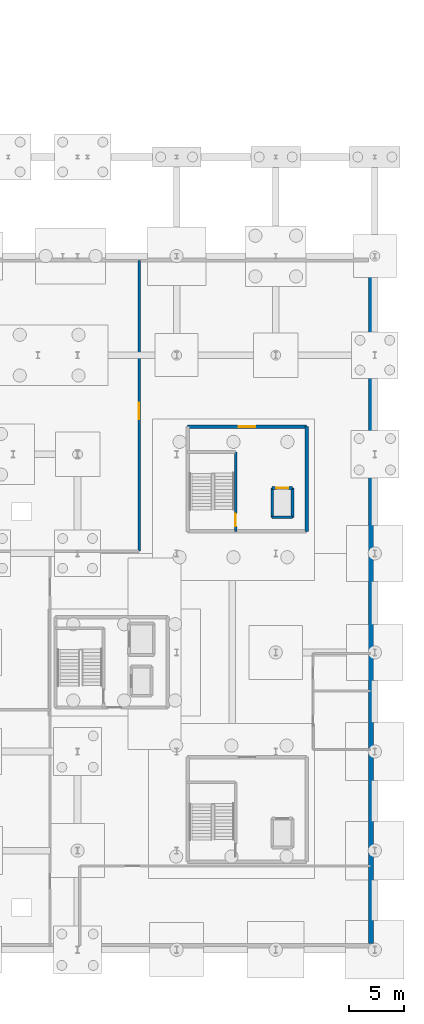
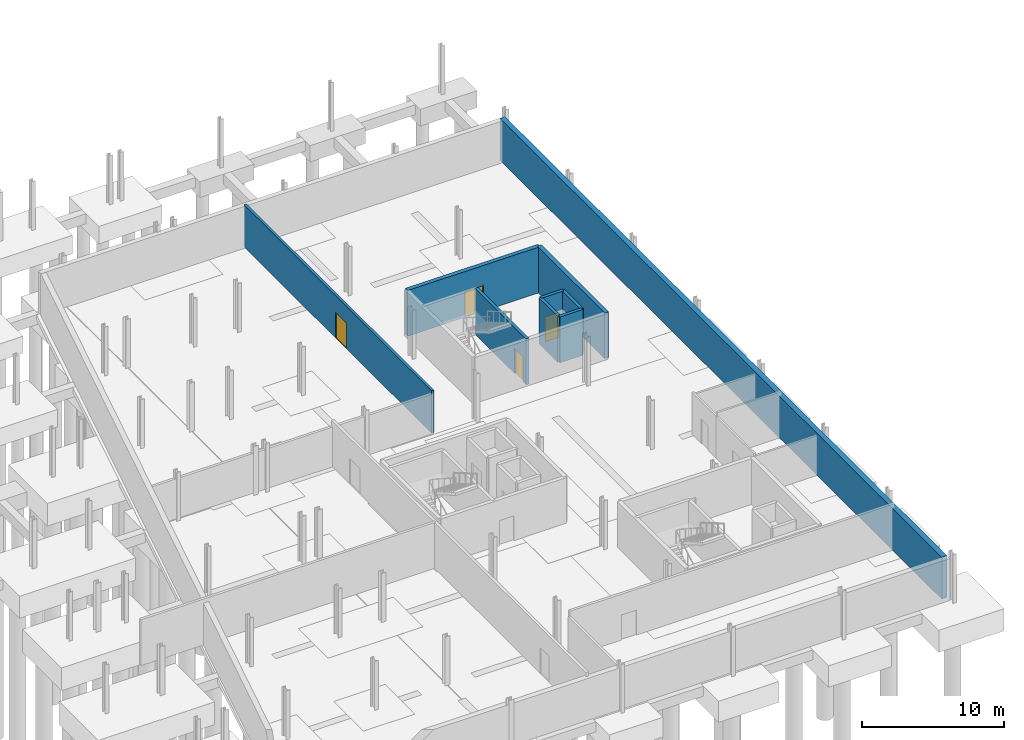
# One storey, part 38 of 42: 9 walls, 4 doors, 4 openings.
"""IFC4 building model written with IfcOpenShell, lengths in metres."""

from ifc_helpers import new_model, si_unit, direction, frame, frame_2d, origin, place, context, subcontext, project, spatial, rectangle, extrude, material, layer, layer_set, type_object, element, fill, save


model = new_model("IFC4")

# Units and contexts
model_context = context("Model", 3, precision=1e-05, world=origin(), true_north=direction((0.0, 1.0)))
body_context = subcontext(model_context, "Body", "Model", "MODEL_VIEW")
ifc_project = project(units=[si_unit("LENGTHUNIT", "METRE"), si_unit("AREAUNIT", "SQUARE_METRE"), si_unit("VOLUMEUNIT", "CUBIC_METRE"), si_unit("PLANEANGLEUNIT", "RADIAN"), si_unit("MASSUNIT", "GRAM", prefix="KILO")], contexts=[model_context])

# Site, building, storey
site_placement = place(None, origin())
site = spatial("IfcSite", under=ifc_project, at=site_placement, CompositionType="ELEMENT")
building_placement = place(site_placement, origin())
building = spatial("IfcBuilding", under=site, at=building_placement, Name="Deido Ridge Mobility Hub", CompositionType="ELEMENT")
storey_placement = place(building_placement, frame((0.0, 0.0, -4.199951171875)))
storey = spatial("IfcBuildingStorey", under=building, at=storey_placement, Name="B1", CompositionType="ELEMENT", Elevation=-4.199951171875)

# Wall, opening, door
ifc_material_1 = material(Name="Concrete blockwork masonry", Category="masonry")
ifc_layer_1 = layer(ifc_material_1, 0.199951171875, Name="Concrete blockwork masonry")
ifc_layer_set_1 = layer_set([ifc_layer_1], Name="Concrete blockwork masonry")
wall_type_1 = type_object("IfcWallType", Name="WL-PRT-FIR-200", PredefinedType="PARTITIONING", material=ifc_layer_set_1)
wall_1_placement = place(storey_placement, frame((158.60009765625, 36.199951171875, 0.0), z_axis=(0.0, 0.0, 1.0), x_axis=(0.0, 1.0, 0.0)))
wall_1 = element("IfcWall", 1, at=wall_1_placement, inside=storey, type_object=wall_type_1, Name="Monsoon retention plant east wall", PredefinedType="PARTITIONING", context=body_context, shape_type="SweptSolid", body=[
    extrude(rectangle(XDim=26.400146484375, YDim=0.199951171875, at=frame_2d((13.2001953125, 0.0))), origin(), (0.0, 0.0, 1.0), 3.64501953125),
])
opening_1_placement = place(wall_1_placement, frame((12.0, 0.0, 0.0)))
opening_1 = element("IfcOpeningElement", 2, at=opening_1_placement, cuts=wall_1, Name="Opening DR-B1-139", PredefinedType="OPENING", context=body_context, shape_type="SweptSolid", body=[
    extrude(rectangle(XDim=1.5, YDim=2.199951171875, at=frame_2d((0.75, 1.10009765625))), frame((0.0, 0.10986328125, 0.0), z_axis=(0.0, -1.0, 0.0), x_axis=(1.0, 0.0, 0.0)), (0.0, 0.0, 1.0), 0.219970703125),
])
ifc_material_2 = material(Name="Galvanised steel work", Category="steel")
door_type_1 = type_object("IfcDoorType", Name="DR-FD60-1500X2200", OperationType="DOUBLE_DOOR_SINGLE_SWING", PredefinedType="DOOR", material=ifc_material_2)
door_1_placement = place(opening_1_placement, origin())
door_1 = element("IfcDoor", 3, at=door_1_placement, inside=storey, type_object=door_type_1, Name="DR-I0139 Monsoon retention plant fire door", OperationType="DOUBLE_DOOR_SINGLE_SWING", OverallHeight=2.199951171875, OverallWidth=1.5, PredefinedType="DOOR", context=body_context, shape_type="SweptSolid", body=[
    extrude(rectangle(XDim=1.5, YDim=2.199951171875, at=frame_2d((0.75, 1.10009765625))), frame((0.0, 0.02490234375, 0.0), z_axis=(0.0, -1.0, 0.0), x_axis=(1.0, 0.0, 0.0)), (0.0, 0.0, 1.0), 0.050048828125),
])
fill(opening_1, door_1)

# Wall
ifc_material_3 = material(Name="Concrete C40/50", Category="concrete")
ifc_layer_2 = layer(ifc_material_3, 0.419921875, Name="Concrete C40/50")
ifc_layer_set_2 = layer_set([ifc_layer_2], Name="Concrete C40/50")
wall_type_2 = type_object("IfcWallType", Name="WL-RET-RC-420", PredefinedType="USERDEFINED", material=ifc_layer_set_2)
wall_2_placement = place(storey_placement, frame((179.64990234375, 0.56005859375, 0.0), z_axis=(0.0, 0.0, 1.0), x_axis=(0.0, 1.0, 0.0)))
element("IfcWall", 4, at=wall_2_placement, inside=storey, type_object=wall_type_2, Name="Basement perimeter retaining wall", ObjectType="RETAINING WALL", PredefinedType="USERDEFINED", context=body_context, shape_type="SweptSolid", body=[
    extrude(rectangle(XDim=62.280029296875, YDim=0.419921875, at=frame_2d((31.14013671875, 0.0))), origin(), (0.0, 0.0, 1.0), 3.599853515625),
])

# Wall, opening, door
ifc_layer_3 = layer(ifc_material_3, 0.25, Name="Concrete C40/50")
ifc_layer_set_3 = layer_set([ifc_layer_3], Name="Concrete C40/50")
wall_type_3 = type_object("IfcWallType", Name="WL-SHR-RC-250", PredefinedType="SHEAR", material=ifc_layer_set_3)
wall_3_placement = place(storey_placement, frame((167.360107421875, 38.0, 0.0), z_axis=(0.0, 0.0, 1.0), x_axis=(0.0, 1.0, 0.0)))
wall_3 = element("IfcWall", 5, at=wall_3_placement, inside=storey, type_object=wall_type_3, Name="C2 stair shaft east wall", PredefinedType="SHEAR", context=body_context, shape_type="SweptSolid", body=[
    extrude(rectangle(XDim=7.199951171875, YDim=0.25, at=frame_2d((3.60009765625, 0.0))), origin(), (0.0, 0.0, 1.0), 3.93994140625),
])
opening_2_placement = place(wall_3_placement, frame((0.449951171875, 0.0, 0.0)))
opening_2 = element("IfcOpeningElement", 6, at=opening_2_placement, cuts=wall_3, Name="Opening FD-C2-B1", PredefinedType="OPENING", context=body_context, shape_type="SweptSolid", body=[
    extrude(rectangle(XDim=1.14990234375, YDim=2.14990234375, at=frame_2d((0.574951171875, 1.074951171875))), frame((0.0, 0.135009765625, 0.0), z_axis=(0.0, -1.0, 0.0), x_axis=(1.0, 0.0, 0.0)), (0.0, 0.0, 1.0), 0.27001953125),
])
door_type_2 = type_object("IfcDoorType", Name="DR-FD60-1150X2150", OperationType="NOTDEFINED", PredefinedType="DOOR", material=ifc_material_2)
door_2_placement = place(opening_2_placement, origin())
door_2 = element("IfcDoor", 7, at=door_2_placement, inside=storey, type_object=door_type_2, Name="DR-I0025 C2 protected stair door (B1)", OperationType="SINGLE_SWING_LEFT", OverallHeight=2.14990234375, OverallWidth=1.14990234375, PredefinedType="DOOR", context=body_context, shape_type="SweptSolid", body=[
    extrude(rectangle(XDim=1.14990234375, YDim=2.14990234375, at=frame_2d((0.574951171875, 1.074951171875))), frame((0.0, 0.02490234375, 0.0), z_axis=(0.0, -1.0, 0.0), x_axis=(1.0, 0.0, 0.0)), (0.0, 0.0, 1.0), 0.050048828125),
])
fill(opening_2, door_2)

# Walls
wall_4_placement = place(storey_placement, frame((170.675048828125, 39.27490234375, 0.0), z_axis=(0.0, 0.0, 1.0), x_axis=(1.0, 0.0, 0.0)))
element("IfcWall", 8, at=wall_4_placement, inside=storey, type_object=wall_type_3, Name="Lift FL2 rear shaft wall", PredefinedType="SHEAR", context=body_context, shape_type="SweptSolid", body=[
    extrude(rectangle(XDim=1.849853515625, YDim=0.25, at=frame_2d((0.9248046875, 0.0))), origin(), (0.0, 0.0, 1.0), 3.93994140625),
])
for number, where, z_axis, x_axis, name in (
    (9, (170.675048828125, 39.27490234375, 0.0), (0.0, 0.0, 1.0), (0.0, 1.0, 0.0), "Lift FL2 west shaft wall"),
    (10, (172.52490234375, 39.27490234375, 0.0), (0.0, 0.0, 1.0), (0.0, 1.0, 0.0), "Lift FL2 east shaft wall"),
):
    element("IfcWall", number, at=place(storey_placement, frame(where, z_axis=z_axis, x_axis=x_axis)), inside=storey, type_object=wall_type_3, Name=name, PredefinedType="SHEAR", context=body_context, shape_type="SweptSolid", body=[
        extrude(rectangle(XDim=2.650146484375, YDim=0.25, at=frame_2d((1.3251953125, 0.0))), origin(), (0.0, 0.0, 1.0), 3.93994140625),
    ])

# Wall, opening, door
wall_5_placement = place(storey_placement, frame((170.675048828125, 41.925048828125, 0.0), z_axis=(0.0, 0.0, 1.0), x_axis=(1.0, 0.0, 0.0)))
wall_5 = element("IfcWall", 11, at=wall_5_placement, inside=storey, type_object=wall_type_3, Name="Lift FL2 landing wall", PredefinedType="SHEAR", context=body_context, shape_type="SweptSolid", body=[
    extrude(rectangle(XDim=1.849853515625, YDim=0.25, at=frame_2d((0.9248046875, 0.0))), origin(), (0.0, 0.0, 1.0), 3.93994140625),
])
opening_3_placement = place(wall_5_placement, frame((0.375, 0.0, 0.0)))
opening_3 = element("IfcOpeningElement", 12, at=opening_3_placement, cuts=wall_5, Name="Opening LD-FL2", PredefinedType="OPENING", context=body_context, shape_type="SweptSolid", body=[
    extrude(rectangle(XDim=1.10009765625, YDim=2.14990234375, at=frame_2d((0.550048828125, 1.074951171875))), frame((0.0, 0.135009765625, 0.0), z_axis=(0.0, -1.0, 0.0), x_axis=(1.0, 0.0, 0.0)), (0.0, 0.0, 1.0), 0.27001953125),
])
ifc_material_4 = material(Name="Stainless steel 316", Category="steel")
door_type_3 = type_object("IfcDoorType", Name="DR-LND-PAS-1100X2150", OperationType="DOUBLE_DOOR_SLIDING", PredefinedType="USERDEFINED", material=ifc_material_4)
door_3_placement = place(opening_3_placement, origin())
door_3 = element("IfcDoor", 13, at=door_3_placement, inside=storey, type_object=door_type_3, Name="DR-I0027 Lift FL2 sliding landing door (B1)", ObjectType="LANDING DOOR", OperationType="DOUBLE_DOOR_SLIDING", OverallHeight=2.14990234375, OverallWidth=1.10009765625, PredefinedType="USERDEFINED", context=body_context, shape_type="SweptSolid", body=[
    extrude(rectangle(XDim=1.10009765625, YDim=2.14990234375, at=frame_2d((0.550048828125, 1.074951171875))), frame((0.0, 0.02490234375, 0.0), z_axis=(0.0, -1.0, 0.0), x_axis=(1.0, 0.0, 0.0)), (0.0, 0.0, 1.0), 0.050048828125),
])
fill(opening_3, door_3)

# Wall
ifc_layer_4 = layer(ifc_material_3, 0.324951171875, Name="Concrete C40/50")
ifc_layer_set_4 = layer_set([ifc_layer_4], Name="Concrete C40/50")
wall_type_4 = type_object("IfcWallType", Name="WL-SHR-RC-325", PredefinedType="SHEAR", material=ifc_layer_set_4)
wall_6_placement = place(storey_placement, frame((173.800048828125, 38.0, 0.0), z_axis=(0.0, 0.0, 1.0), x_axis=(0.0, 1.0, 0.0)))
element("IfcWall", 14, at=wall_6_placement, inside=storey, type_object=wall_type_4, Name="C2 east shear wall", PredefinedType="SHEAR", context=body_context, shape_type="SweptSolid", body=[
    extrude(rectangle(XDim=9.5, YDim=0.324951171875, at=frame_2d((4.75, 0.0))), origin(), (0.0, 0.0, 1.0), 3.93994140625),
])

# Wall, opening, door
wall_7_placement = place(storey_placement, frame((173.800048828125, 47.5, 0.0), z_axis=(0.0, 0.0, 1.0), x_axis=(-1.0, 0.0, 0.0)))
wall_7 = element("IfcWall", 15, at=wall_7_placement, inside=storey, type_object=wall_type_4, Name="C2 north shear wall", PredefinedType="SHEAR", context=body_context, shape_type="SweptSolid", body=[
    extrude(rectangle(XDim=10.800048828125, YDim=0.324951171875, at=frame_2d((5.39990234375, 0.0))), origin(), (0.0, 0.0, 1.0), 3.93994140625),
])
opening_4_placement = place(wall_7_placement, frame((4.64990234375, 0.0, 0.0)))
opening_4 = element("IfcOpeningElement", 16, at=opening_4_placement, cuts=wall_7, Name="Opening LD-C2-026", PredefinedType="OPENING", context=body_context, shape_type="SweptSolid", body=[
    extrude(rectangle(XDim=1.5, YDim=2.199951171875, at=frame_2d((0.75, 1.10009765625))), frame((0.0, 0.17236328125, 0.0), z_axis=(0.0, -1.0, 0.0), x_axis=(1.0, 0.0, 0.0)), (0.0, 0.0, 1.0), 0.344970703125),
])
door_4_placement = place(opening_4_placement, origin())
door_4 = element("IfcDoor", 17, at=door_4_placement, inside=storey, type_object=door_type_1, Name="DR-I0026 C2 firefighting lobby door (B1)", OperationType="DOUBLE_DOOR_SINGLE_SWING", OverallHeight=2.199951171875, OverallWidth=1.5, PredefinedType="DOOR", context=body_context, shape_type="SweptSolid", body=[
    extrude(rectangle(XDim=1.5, YDim=2.199951171875, at=frame_2d((0.75, 1.10009765625))), frame((0.0, 0.02490234375, 0.0), z_axis=(0.0, -1.0, 0.0), x_axis=(1.0, 0.0, 0.0)), (0.0, 0.0, 1.0), 0.050048828125),
])
fill(opening_4, door_4)

save(model, "model.ifc")
